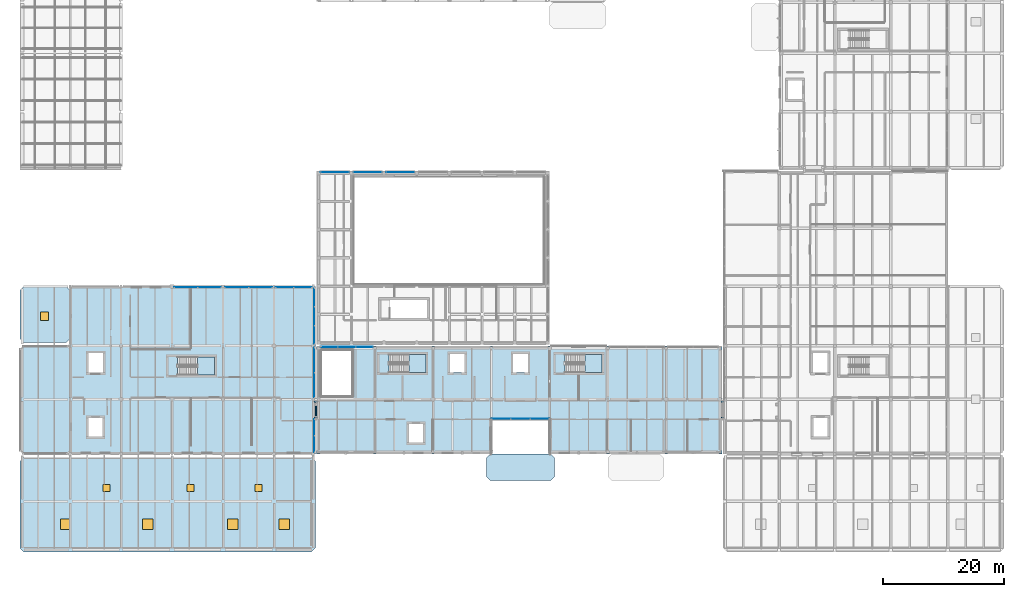
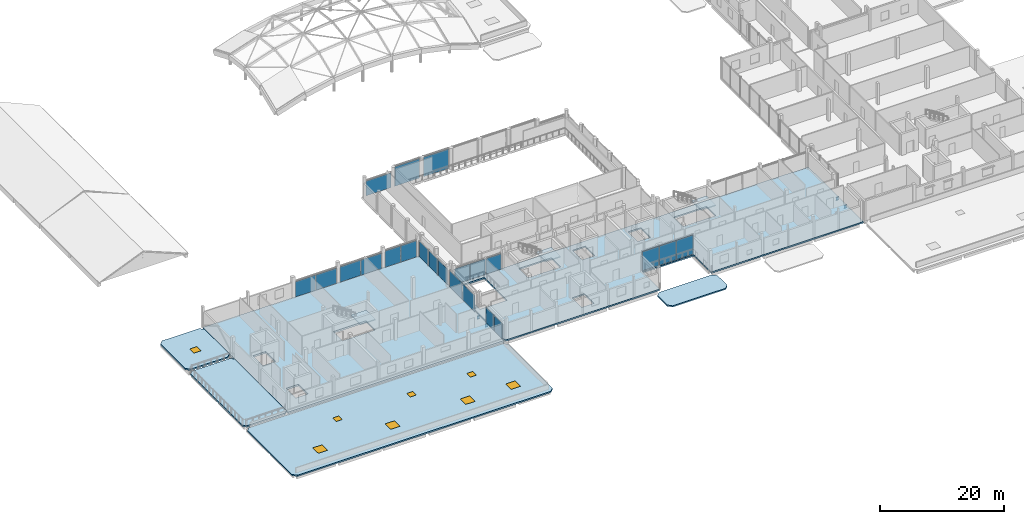
# One storey, part 32 of 66: 22 plates, 10 slabs, 8 windows, 4 beams, 8 openings, 14 elements without a shape of their own.
"""IFC4 building model written with IfcOpenShell, lengths in metres."""

from ifc_helpers import new_model, si_unit, direction, frame, origin, origin_2d, place, context, subcontext, project, spatial, polyline, rectangle, i_section, outline, extrude, material, layer, layer_set, material_profile, profile_set, type_object, element, fill, aggregate, save


model = new_model("IFC4")

# Units and contexts
model_context = context("Model", 3, precision=1e-05, world=origin(), true_north=direction((0.0, 1.0)))
body_context = subcontext(model_context, "Body", "Model", "MODEL_VIEW")
ifc_project = project(units=[si_unit("LENGTHUNIT", "METRE"), si_unit("AREAUNIT", "SQUARE_METRE"), si_unit("VOLUMEUNIT", "CUBIC_METRE"), si_unit("PLANEANGLEUNIT", "RADIAN"), si_unit("MASSUNIT", "GRAM", prefix="KILO")], contexts=[model_context])

# Site, building, storey
site_placement = place(None, origin())
site = spatial("IfcSite", under=ifc_project, at=site_placement, CompositionType="ELEMENT")
building_placement = place(site_placement, origin())
building = spatial("IfcBuilding", under=site, at=building_placement, Name="Birchvale Park Specialist Clinic", CompositionType="ELEMENT")
storey_placement = place(building_placement, frame((0.0, 0.0, 5.39990234375)))
storey = spatial("IfcBuildingStorey", under=building, at=storey_placement, Name="L01", CompositionType="ELEMENT", Elevation=5.39990234375)

# Beams
ifc_material_1 = material(Name="Steel ASTM A992 Grade 50", Category="steel")
ifc_material_profile = material_profile(ifc_material_1, i_section(OverallWidth=0.22900390625, OverallDepth=0.612060546875, WebThickness=0.011962890625, FlangeThickness=0.01953125, at=origin_2d()), Name="W24X84")
ifc_profile_set = profile_set([ifc_material_profile], Name="Steel ASTM A992 Grade 50")
beam_type = type_object("IfcBeamType", Name="STL-EXT-SB2", PredefinedType="BEAM", material=ifc_profile_set)
for number, where, z_axis, x_axis, name in (
    (1, (51.409912109375, 22.800048828125, -0.6708984375), (1.0, 0.0, 0.0), (0.0, 1.0, 0.0), "L01 link bridge girder BRG-1.1"),
    (2, (51.409912109375, 25.39990234375, -0.6708984375), (1.0, 0.0, 0.0), (0.0, 1.0, 0.0), "L01 link bridge girder BRG-1.2"),
    (3, (118.409912109375, 22.800048828125, -0.6708984375), (1.0, 0.0, 0.0), (0.0, 1.0, 0.0), "L01 link bridge girder BRG-2.1"),
    (4, (118.409912109375, 25.39990234375, -0.6708984375), (1.0, 0.0, 0.0), (0.0, 1.0, 0.0), "L01 link bridge girder BRG-2.2"),
):
    element("IfcBeam", number, at=place(storey_placement, frame(where, z_axis=z_axis, x_axis=x_axis)), inside=storey, type_object=beam_type, Name=name, PredefinedType="BEAM", context=body_context, shape_type="SweptSolid", body=[
        extrude(i_section(OverallWidth=0.22900390625, OverallDepth=0.612060546875, WebThickness=0.011962890625, FlangeThickness=0.01953125, at=origin_2d()), origin(), (0.0, 0.0, 1.0), 0.52001953125),
    ])

# Curtain wall, plates
ifc_material_2 = material(Name="Thermally broken anodised aluminium", Category="aluminium")
ifc_layer_1 = layer(ifc_material_2, 0.179931640625)
ifc_layer_set_1 = layer_set([ifc_layer_1], Name="Thermally broken anodised aluminium")
curtain_wall_type_1 = type_object("IfcCurtainWallType", Name="CW-U1", PredefinedType="USERDEFINED", material=ifc_layer_set_1)
curtain_wall_1_placement = place(storey_placement, origin())
curtain_wall_1 = element("IfcCurtainWall", 5, at=curtain_wall_1_placement, inside=storey, type_object=curtain_wall_type_1, Name="V4 L01 glazed curtain wall 87", ObjectType="UNITISED", PredefinedType="USERDEFINED")
ifc_material_3 = material(Name="Solar-control low-E double glazing", Category="glass")
ifc_layer_2 = layer(ifc_material_3, 0.028076171875)
ifc_layer_set_2 = layer_set([ifc_layer_2], Name="Solar-control low-E double glazing")
plate_type_1 = type_object("IfcPlateType", Name="CWP1", PredefinedType="CURTAIN_PANEL", material=ifc_layer_set_2)
plate_1_placement = place(storey_placement, frame((82.215087890625, 22.590087890625, 0.06005859375), z_axis=(0.0, 0.0, 1.0), x_axis=(1.0, 0.0, 0.0)))
plate_1 = element("IfcPlate", 6, at=plate_1_placement, type_object=plate_type_1, Name="CW panel 1.1", PredefinedType="CURTAIN_PANEL", context=body_context, shape_type="SweptSolid", body=[
    extrude(rectangle(XDim=3.110107421875, YDim=0.028076171875, at=origin_2d()), origin(), (0.0, 0.0, 1.0), 3.800048828125),
])
plate_2_placement = place(storey_placement, frame((85.39990234375, 22.590087890625, 0.06005859375), z_axis=(0.0, 0.0, 1.0), x_axis=(1.0, 0.0, 0.0)))
plate_2 = element("IfcPlate", 7, at=plate_2_placement, type_object=plate_type_1, Name="CW panel 2.1", PredefinedType="CURTAIN_PANEL", context=body_context, shape_type="SweptSolid", body=[
    extrude(rectangle(XDim=3.139892578125, YDim=0.028076171875, at=origin_2d()), origin(), (0.0, 0.0, 1.0), 3.800048828125),
])
plate_3_placement = place(storey_placement, frame((88.5849609375, 22.590087890625, 0.06005859375), z_axis=(0.0, 0.0, 1.0), x_axis=(1.0, 0.0, 0.0)))
plate_3 = element("IfcPlate", 8, at=plate_3_placement, type_object=plate_type_1, Name="CW panel 3.1", PredefinedType="CURTAIN_PANEL", context=body_context, shape_type="SweptSolid", body=[
    extrude(rectangle(XDim=3.110107421875, YDim=0.028076171875, at=origin_2d()), origin(), (0.0, 0.0, 1.0), 3.800048828125),
])
aggregate(curtain_wall_1, [plate_1, plate_2, plate_3])

curtain_wall_2_placement = place(storey_placement, origin())
curtain_wall_2 = element("IfcCurtainWall", 9, at=curtain_wall_2_placement, inside=storey, type_object=curtain_wall_type_1, Name="V4 L01 glazed curtain wall 90", ObjectType="UNITISED", PredefinedType="USERDEFINED")
plate_4_placement = place(storey_placement, frame((59.6875, 34.409912109375, 0.06005859375), z_axis=(0.0, 0.0, 1.0), x_axis=(-1.0, 0.0, 0.0)))
plate_4 = element("IfcPlate", 10, at=plate_4_placement, type_object=plate_type_1, Name="CW panel 1.1", PredefinedType="CURTAIN_PANEL", context=body_context, shape_type="SweptSolid", body=[
    extrude(rectangle(XDim=2.824951171875, YDim=0.028076171875, at=origin_2d()), origin(), (0.0, 0.0, 1.0), 3.094970703125),
])
plate_5_placement = place(storey_placement, frame((56.78759765625, 34.409912109375, 0.06005859375), z_axis=(0.0, 0.0, 1.0), x_axis=(-1.0, 0.0, 0.0)))
plate_5 = element("IfcPlate", 11, at=plate_5_placement, type_object=plate_type_1, Name="CW panel 2.1", PredefinedType="CURTAIN_PANEL", context=body_context, shape_type="SweptSolid", body=[
    extrude(rectangle(XDim=2.85498046875, YDim=0.028076171875, at=origin_2d()), origin(), (0.0, 0.0, 1.0), 3.094970703125),
])
plate_6_placement = place(storey_placement, frame((53.887451171875, 34.409912109375, 0.06005859375), z_axis=(0.0, 0.0, 1.0), x_axis=(-1.0, 0.0, 0.0)))
plate_6 = element("IfcPlate", 12, at=plate_6_placement, type_object=plate_type_1, Name="CW panel 3.1", PredefinedType="CURTAIN_PANEL", context=body_context, shape_type="SweptSolid", body=[
    extrude(rectangle(XDim=2.824951171875, YDim=0.028076171875, at=origin_2d()), origin(), (0.0, 0.0, 1.0), 3.094970703125),
])
aggregate(curtain_wall_2, [plate_4, plate_5, plate_6])

# Curtain wall, plate
ifc_layer_3 = layer(ifc_material_2, 0.195068359375)
ifc_layer_set_3 = layer_set([ifc_layer_3], Name="Thermally broken anodised aluminium")
curtain_wall_type_2 = type_object("IfcCurtainWallType", Name="CW-U2", PredefinedType="USERDEFINED", material=ifc_layer_set_3)
curtain_wall_3_placement = place(storey_placement, origin())
curtain_wall_3 = element("IfcCurtainWall", 13, at=curtain_wall_3_placement, inside=storey, type_object=curtain_wall_type_2, Name="V1 L01 glazed curtain wall 78", ObjectType="UNITISED", PredefinedType="USERDEFINED")
ifc_layer_4 = layer(ifc_material_3, 0.031982421875)
ifc_layer_set_4 = layer_set([ifc_layer_4], Name="Solar-control low-E double glazing")
plate_type_2 = type_object("IfcPlateType", Name="CWP2", PredefinedType="CURTAIN_PANEL", material=ifc_layer_set_4)
plate_7_placement = place(storey_placement, frame((65.6142578125, 63.235107421875, 0.06494140625), z_axis=(0.0, 0.0, 1.0), x_axis=(-1.0, 0.0, 0.0)))
plate_7 = element("IfcPlate", 14, at=plate_7_placement, type_object=plate_type_2, Name="CW panel 1.1", PredefinedType="CURTAIN_PANEL", context=body_context, shape_type="SweptSolid", body=[
    extrude(rectangle(XDim=4.6357421875, YDim=0.031982421875, at=origin_2d()), origin(), (0.0, 0.0, 1.0), 3.889892578125),
])
aggregate(curtain_wall_3, [plate_7])

curtain_wall_4_placement = place(storey_placement, origin())
curtain_wall_4 = element("IfcCurtainWall", 15, at=curtain_wall_4_placement, inside=storey, type_object=curtain_wall_type_2, Name="V1 L01 glazed curtain wall 79", ObjectType="UNITISED", PredefinedType="USERDEFINED")
plate_8_placement = place(storey_placement, frame((60.228515625, 63.235107421875, 0.06494140625), z_axis=(0.0, 0.0, 1.0), x_axis=(-1.0, 0.0, 0.0)))
plate_8 = element("IfcPlate", 16, at=plate_8_placement, type_object=plate_type_2, Name="CW panel 1.1", PredefinedType="CURTAIN_PANEL", context=body_context, shape_type="SweptSolid", body=[
    extrude(rectangle(XDim=4.6357421875, YDim=0.031982421875, at=origin_2d()), origin(), (0.0, 0.0, 1.0), 3.889892578125),
])
aggregate(curtain_wall_4, [plate_8])

curtain_wall_5_placement = place(storey_placement, origin())
curtain_wall_5 = element("IfcCurtainWall", 17, at=curtain_wall_5_placement, inside=storey, type_object=curtain_wall_type_2, Name="V1 L01 glazed curtain wall 80", ObjectType="UNITISED", PredefinedType="USERDEFINED")
plate_9_placement = place(storey_placement, frame((54.8427734375, 63.235107421875, 0.065185546875), z_axis=(0.0, 0.0, 1.0), x_axis=(-1.0, 0.0, 0.0)))
plate_9 = element("IfcPlate", 18, at=plate_9_placement, type_object=plate_type_2, Name="CW panel 1.1", PredefinedType="CURTAIN_PANEL", context=body_context, shape_type="SweptSolid", body=[
    extrude(rectangle(XDim=4.6357421875, YDim=0.031982421875, at=origin_2d()), origin(), (0.0, 0.0, 1.0), 2.93505859375),
])
aggregate(curtain_wall_5, [plate_9])

# Curtain wall, plates
curtain_wall_6_placement = place(storey_placement, origin())
curtain_wall_6 = element("IfcCurtainWall", 19, at=curtain_wall_6_placement, inside=storey, type_object=curtain_wall_type_2, Name="V2 L01 glazed curtain wall 81", ObjectType="UNITISED", PredefinedType="USERDEFINED")
plate_10_placement = place(storey_placement, frame((51.445068359375, 18.433837890625, 0.065185546875), z_axis=(0.0, 0.0, 1.0), x_axis=(0.0, 1.0, 0.0)))
plate_10 = element("IfcPlate", 20, at=plate_10_placement, type_object=plate_type_2, Name="CW panel 1.1", PredefinedType="CURTAIN_PANEL", context=body_context, shape_type="SweptSolid", body=[
    extrude(rectangle(XDim=2.657470703125, YDim=0.031982421875, at=origin_2d()), origin(), (0.0, 0.0, 1.0), 3.06494140625),
])
plate_11_placement = place(storey_placement, frame((51.445068359375, 21.15625, 0.065185546875), z_axis=(0.0, 0.0, 1.0), x_axis=(0.0, 1.0, 0.0)))
plate_11 = element("IfcPlate", 21, at=plate_11_placement, type_object=plate_type_2, Name="CW panel 2.1", PredefinedType="CURTAIN_PANEL", context=body_context, shape_type="SweptSolid", body=[
    extrude(rectangle(XDim=2.657470703125, YDim=0.031982421875, at=origin_2d()), origin(), (0.0, 0.0, 1.0), 3.06494140625),
])
aggregate(curtain_wall_6, [plate_10, plate_11])

curtain_wall_7_placement = place(storey_placement, origin())
curtain_wall_7 = element("IfcCurtainWall", 22, at=curtain_wall_7_placement, inside=storey, type_object=curtain_wall_type_2, Name="V2 L01 glazed curtain wall 82", ObjectType="UNITISED", PredefinedType="USERDEFINED")
plate_12_placement = place(storey_placement, frame((51.445068359375, 28.14501953125, 0.065185546875), z_axis=(0.0, 0.0, 1.0), x_axis=(0.0, 1.0, 0.0)))
plate_12 = element("IfcPlate", 23, at=plate_12_placement, type_object=plate_type_2, Name="CW panel 1.1", PredefinedType="CURTAIN_PANEL", context=body_context, shape_type="SweptSolid", body=[
    extrude(rectangle(XDim=4.0400390625, YDim=0.031982421875, at=origin_2d()), origin(), (0.0, 0.0, 1.0), 3.1650390625),
])
plate_13_placement = place(storey_placement, frame((51.445068359375, 32.25, 0.065185546875), z_axis=(0.0, 0.0, 1.0), x_axis=(0.0, 1.0, 0.0)))
plate_13 = element("IfcPlate", 24, at=plate_13_placement, type_object=plate_type_2, Name="CW panel 2.1", PredefinedType="CURTAIN_PANEL", context=body_context, shape_type="SweptSolid", body=[
    extrude(rectangle(XDim=4.0400390625, YDim=0.031982421875, at=origin_2d()), origin(), (0.0, 0.0, 1.0), 3.1650390625),
])
aggregate(curtain_wall_7, [plate_12, plate_13])

curtain_wall_8_placement = place(storey_placement, origin())
curtain_wall_8 = element("IfcCurtainWall", 25, at=curtain_wall_8_placement, inside=storey, type_object=curtain_wall_type_2, Name="V2 L01 glazed curtain wall 83", ObjectType="UNITISED", PredefinedType="USERDEFINED")
plate_14_placement = place(storey_placement, frame((51.445068359375, 36.422119140625, 0.065185546875), z_axis=(0.0, 0.0, 1.0), x_axis=(0.0, 1.0, 0.0)))
plate_14 = element("IfcPlate", 26, at=plate_14_placement, type_object=plate_type_2, Name="CW panel 1.1", PredefinedType="CURTAIN_PANEL", context=body_context, shape_type="SweptSolid", body=[
    extrude(rectangle(XDim=2.984130859375, YDim=0.031982421875, at=origin_2d()), origin(), (0.0, 0.0, 1.0), 3.06494140625),
])
plate_15_placement = place(storey_placement, frame((51.445068359375, 39.487548828125, 0.065185546875), z_axis=(0.0, 0.0, 1.0), x_axis=(0.0, 1.0, 0.0)))
plate_15 = element("IfcPlate", 27, at=plate_15_placement, type_object=plate_type_2, Name="CW panel 2.1", PredefinedType="CURTAIN_PANEL", context=body_context, shape_type="SweptSolid", body=[
    extrude(rectangle(XDim=3.0166015625, YDim=0.031982421875, at=origin_2d()), origin(), (0.0, 0.0, 1.0), 3.06494140625),
])
plate_16_placement = place(storey_placement, frame((51.445068359375, 42.552978515625, 0.065185546875), z_axis=(0.0, 0.0, 1.0), x_axis=(0.0, 1.0, 0.0)))
plate_16 = element("IfcPlate", 28, at=plate_16_placement, type_object=plate_type_2, Name="CW panel 3.1", PredefinedType="CURTAIN_PANEL", context=body_context, shape_type="SweptSolid", body=[
    extrude(rectangle(XDim=2.984130859375, YDim=0.031982421875, at=origin_2d()), origin(), (0.0, 0.0, 1.0), 3.06494140625),
])
aggregate(curtain_wall_8, [plate_14, plate_15, plate_16])

curtain_wall_9_placement = place(storey_placement, origin())
curtain_wall_9 = element("IfcCurtainWall", 29, at=curtain_wall_9_placement, inside=storey, type_object=curtain_wall_type_2, Name="V2 L01 glazed curtain wall 84", ObjectType="UNITISED", PredefinedType="USERDEFINED")
plate_17_placement = place(storey_placement, frame((49.5263671875, 44.2451171875, 0.065185546875), z_axis=(0.0, 0.0, 1.0), x_axis=(-1.0, 0.0, 0.0)))
plate_17 = element("IfcPlate", 30, at=plate_17_placement, type_object=plate_type_2, Name="CW panel 1.1", PredefinedType="CURTAIN_PANEL", context=body_context, shape_type="SweptSolid", body=[
    extrude(rectangle(XDim=2.8974609375, YDim=0.031982421875, at=origin_2d()), origin(), (0.0, 0.0, 1.0), 3.2548828125),
])
plate_18_placement = place(storey_placement, frame((46.563720703125, 44.2451171875, 0.065185546875), z_axis=(0.0, 0.0, 1.0), x_axis=(-1.0, 0.0, 0.0)))
plate_18 = element("IfcPlate", 31, at=plate_18_placement, type_object=plate_type_2, Name="CW panel 2.1", PredefinedType="CURTAIN_PANEL", context=body_context, shape_type="SweptSolid", body=[
    extrude(rectangle(XDim=2.8974609375, YDim=0.031982421875, at=origin_2d()), origin(), (0.0, 0.0, 1.0), 3.2548828125),
])
aggregate(curtain_wall_9, [plate_17, plate_18])

curtain_wall_10_placement = place(storey_placement, origin())
curtain_wall_10 = element("IfcCurtainWall", 32, at=curtain_wall_10_placement, inside=storey, type_object=curtain_wall_type_2, Name="V2 L01 glazed curtain wall 85", ObjectType="UNITISED", PredefinedType="USERDEFINED")
plate_19_placement = place(storey_placement, frame((42.56494140625, 44.2451171875, 0.06494140625), z_axis=(0.0, 0.0, 1.0), x_axis=(-1.0, 0.0, 0.0)))
plate_19 = element("IfcPlate", 33, at=plate_19_placement, type_object=plate_type_2, Name="CW panel 1.1", PredefinedType="CURTAIN_PANEL", context=body_context, shape_type="SweptSolid", body=[
    extrude(rectangle(XDim=3.840087890625, YDim=0.031982421875, at=origin_2d()), origin(), (0.0, 0.0, 1.0), 3.054931640625),
])
plate_20_placement = place(storey_placement, frame((38.659912109375, 44.2451171875, 0.06494140625), z_axis=(0.0, 0.0, 1.0), x_axis=(-1.0, 0.0, 0.0)))
plate_20 = element("IfcPlate", 34, at=plate_20_placement, type_object=plate_type_2, Name="CW panel 2.1", PredefinedType="CURTAIN_PANEL", context=body_context, shape_type="SweptSolid", body=[
    extrude(rectangle(XDim=3.840087890625, YDim=0.031982421875, at=origin_2d()), origin(), (0.0, 0.0, 1.0), 3.054931640625),
])
aggregate(curtain_wall_10, [plate_19, plate_20])

curtain_wall_11_placement = place(storey_placement, origin())
curtain_wall_11 = element("IfcCurtainWall", 35, at=curtain_wall_11_placement, inside=storey, type_object=curtain_wall_type_2, Name="V2 L01 glazed curtain wall 86", ObjectType="UNITISED", PredefinedType="USERDEFINED")
plate_21_placement = place(storey_placement, frame((34.152587890625, 44.2451171875, 0.06494140625), z_axis=(0.0, 0.0, 1.0), x_axis=(-1.0, 0.0, 0.0)))
plate_21 = element("IfcPlate", 36, at=plate_21_placement, type_object=plate_type_2, Name="CW panel 1.1", PredefinedType="CURTAIN_PANEL", context=body_context, shape_type="SweptSolid", body=[
    extrude(rectangle(XDim=3.81494140625, YDim=0.031982421875, at=origin_2d()), origin(), (0.0, 0.0, 1.0), 3.054931640625),
])
plate_22_placement = place(storey_placement, frame((30.2724609375, 44.2451171875, 0.06494140625), z_axis=(0.0, 0.0, 1.0), x_axis=(-1.0, 0.0, 0.0)))
plate_22 = element("IfcPlate", 37, at=plate_22_placement, type_object=plate_type_2, Name="CW panel 2.1", PredefinedType="CURTAIN_PANEL", context=body_context, shape_type="SweptSolid", body=[
    extrude(rectangle(XDim=3.81494140625, YDim=0.031982421875, at=origin_2d()), origin(), (0.0, 0.0, 1.0), 3.054931640625),
])
aggregate(curtain_wall_11, [plate_21, plate_22])

# Slabs
ifc_material_4 = material(Name="Concrete C35/45", Category="concrete")
ifc_layer_5 = layer(ifc_material_4, 0.31005859375)
ifc_layer_set_5 = layer_set([ifc_layer_5], Name="Concrete C35/45")
slab_type_1 = type_object("IfcSlabType", Name="SLB-ES1", PredefinedType="FLOOR", material=ifc_layer_set_5)
slab_1_placement = place(storey_placement, frame((0.0, 0.0, -0.309814453125)))
element("IfcSlab", 38, at=slab_1_placement, inside=storey, type_object=slab_type_1, Name="V2 L01 outdoor terrace slab 1", PredefinedType="FLOOR", context=body_context, shape_type="SweptSolid", body=[
    extrude(outline(polyline([(3.5, 16.800048828125), (10.64990234375, 16.800048828125), (11.199951171875, 17.35009765625), (11.199951171875, 34.050048828125), (10.64990234375, 34.60009765625), (3.5, 34.60009765625), (2.949951171875, 34.050048828125), (2.949951171875, 17.35009765625), (3.5, 16.800048828125)])), origin(), (0.0, 0.0, 1.0), 0.309814453125),
])
ifc_layer_6 = layer(ifc_material_4, 0.35009765625)
ifc_layer_set_6 = layer_set([ifc_layer_6], Name="Concrete C35/45")
slab_type_2 = type_object("IfcSlabType", Name="SLB-FS1", PredefinedType="FLOOR", material=ifc_layer_set_6)
slab_2_placement = place(storey_placement, frame((0.0, 0.0, -0.349853515625)))
element("IfcSlab", 39, at=slab_2_placement, inside=storey, type_object=slab_type_2, Name="V2 L01 structural slab 1", PredefinedType="FLOOR", context=body_context, shape_type="SweptSolid", body=[
    extrude(outline(polyline([(11.199951171875, 16.800048828125), (51.60009765625, 16.800048828125), (51.60009765625, 44.39990234375), (11.199951171875, 44.39990234375), (11.199951171875, 16.800048828125)]), holes=[polyline([(28.905029296875, 29.800048828125), (35.0, 29.800048828125), (35.0, 32.800048828125), (28.905029296875, 32.800048828125), (28.905029296875, 29.800048828125)]), polyline([(14.25, 19.64990234375), (16.550048828125, 19.64990234375), (16.550048828125, 22.75), (14.25, 22.75), (14.25, 19.64990234375)]), polyline([(14.199951171875, 30.199951171875), (16.60009765625, 30.199951171875), (16.60009765625, 33.39990234375), (14.199951171875, 33.39990234375), (14.199951171875, 30.199951171875)])]), origin(), (0.0, 0.0, 1.0), 0.349853515625),
])
ifc_layer_7 = layer(ifc_material_4, 0.280029296875)
ifc_layer_set_7 = layer_set([ifc_layer_7], Name="Concrete C35/45")
slab_type_3 = type_object("IfcSlabType", Name="SLB-FS4", PredefinedType="FLOOR", material=ifc_layer_set_7)
slab_3_placement = place(storey_placement, frame((0.0, 0.0, -0.27978515625)))
element("IfcSlab", 40, at=slab_3_placement, inside=storey, type_object=slab_type_3, Name="V4 L01 structural slab 1", PredefinedType="FLOOR", context=body_context, shape_type="SweptSolid", body=[
    extrude(outline(polyline([(51.800048828125, 16.800048828125), (80.60009765625, 16.800048828125), (80.60009765625, 22.39990234375), (90.199951171875, 22.39990234375), (90.199951171875, 16.800048828125), (118.60009765625, 16.800048828125), (118.60009765625, 34.60009765625), (51.800048828125, 34.60009765625), (51.800048828125, 16.800048828125)]), holes=[polyline([(52.60009765625, 26.39990234375), (57.60009765625, 26.39990234375), (57.60009765625, 33.800048828125), (52.60009765625, 33.800048828125), (52.60009765625, 26.39990234375)]), polyline([(63.705078125, 30.199951171875), (69.800048828125, 30.199951171875), (69.800048828125, 33.199951171875), (63.705078125, 33.199951171875), (63.705078125, 30.199951171875)]), polyline([(92.705078125, 30.199951171875), (98.800048828125, 30.199951171875), (98.800048828125, 33.199951171875), (92.705078125, 33.199951171875), (92.705078125, 30.199951171875)]), polyline([(73.800048828125, 30.199951171875), (76.199951171875, 30.199951171875), (76.199951171875, 33.300048828125), (73.800048828125, 33.300048828125), (73.800048828125, 30.199951171875)]), polyline([(84.199951171875, 30.199951171875), (86.60009765625, 30.199951171875), (86.60009765625, 33.300048828125), (84.199951171875, 33.300048828125), (84.199951171875, 30.199951171875)]), polyline([(67.050048828125, 18.64990234375), (69.35009765625, 18.64990234375), (69.35009765625, 21.75), (67.050048828125, 21.75), (67.050048828125, 18.64990234375)])]), origin(), (0.0, 0.0, 1.0), 0.27978515625),
])
ifc_layer_8 = layer(ifc_material_4, 0.364990234375)
ifc_layer_set_8 = layer_set([ifc_layer_8], Name="Concrete C35/45")
slab_type_4 = type_object("IfcSlabType", Name="SLB-FS6", PredefinedType="FLOOR", material=ifc_layer_set_8)
slab_4_placement = place(storey_placement, frame((0.0, 0.0, -0.364990234375)))
element("IfcSlab", 41, at=slab_4_placement, inside=storey, type_object=slab_type_4, Name="L01 seismic link bridge deck BRG-1", PredefinedType="FLOOR", context=body_context, shape_type="SweptSolid", body=[
    extrude(outline(polyline([(51.60009765625, 22.60009765625), (51.800048828125, 22.60009765625), (51.800048828125, 25.60009765625), (51.60009765625, 25.60009765625), (51.60009765625, 22.60009765625)])), origin(), (0.0, 0.0, 1.0), 0.364990234375),
])

# Stair, slab
stair_type = type_object("IfcStairType", Name="ST-H42", PredefinedType="HALF_TURN_STAIR", material=ifc_material_4)
stair_1_placement = place(storey_placement, origin())
stair_1 = element("IfcStair", 42, at=stair_1_placement, inside=storey, type_object=stair_type, Name="L01 Protected exit stair ST2", PredefinedType="HALF_TURN_STAIR")
ifc_layer_9 = layer(ifc_material_4, 0.199951171875)
ifc_layer_set_9 = layer_set([ifc_layer_9], Name="Concrete C35/45")
slab_type_5 = type_object("IfcSlabType", Name="SLB-LND1", PredefinedType="LANDING", material=ifc_layer_set_9)
slab_5_placement = place(storey_placement, frame((0.0, 0.0, 1.900146484375)))
slab_5 = element("IfcSlab", 43, at=slab_5_placement, type_object=slab_type_5, Name="ST2 landing 1", PredefinedType="LANDING", context=body_context, shape_type="SweptSolid", body=[
    extrude(outline(polyline([(32.199951171875, 29.800048828125), (35.0, 29.800048828125), (35.0, 32.800048828125), (32.199951171875, 32.800048828125), (32.199951171875, 29.800048828125)])), origin(), (0.0, 0.0, 1.0), 0.199951171875),
])
aggregate(stair_1, [slab_5])

stair_2_placement = place(storey_placement, origin())
stair_2 = element("IfcStair", 44, at=stair_2_placement, inside=storey, type_object=stair_type, Name="L01 Protected exit stair ST4", PredefinedType="HALF_TURN_STAIR")
slab_6_placement = place(storey_placement, frame((0.0, 0.0, 1.900146484375)))
slab_6 = element("IfcSlab", 45, at=slab_6_placement, type_object=slab_type_5, Name="ST4 landing 1", PredefinedType="LANDING", context=body_context, shape_type="SweptSolid", body=[
    extrude(outline(polyline([(67.0, 30.199951171875), (69.800048828125, 30.199951171875), (69.800048828125, 33.199951171875), (67.0, 33.199951171875), (67.0, 30.199951171875)])), origin(), (0.0, 0.0, 1.0), 0.199951171875),
])
aggregate(stair_2, [slab_6])

stair_3_placement = place(storey_placement, origin())
stair_3 = element("IfcStair", 46, at=stair_3_placement, inside=storey, type_object=stair_type, Name="L01 Protected exit stair ST5", PredefinedType="HALF_TURN_STAIR")
slab_7_placement = place(storey_placement, frame((0.0, 0.0, 1.900146484375)))
slab_7 = element("IfcSlab", 47, at=slab_7_placement, type_object=slab_type_5, Name="ST5 landing 1", PredefinedType="LANDING", context=body_context, shape_type="SweptSolid", body=[
    extrude(outline(polyline([(96.0, 30.199951171875), (98.800048828125, 30.199951171875), (98.800048828125, 33.199951171875), (96.0, 33.199951171875), (96.0, 30.199951171875)])), origin(), (0.0, 0.0, 1.0), 0.199951171875),
])
aggregate(stair_3, [slab_7])

# Slab, openings, windows
ifc_layer_10 = layer(ifc_material_4, 0.27490234375)
ifc_layer_set_10 = layer_set([ifc_layer_10], Name="Concrete C35/45")
slab_type_6 = type_object("IfcSlabType", Name="SLB-RS4", PredefinedType="ROOF", material=ifc_layer_set_10)
slab_8_placement = place(storey_placement, frame((0.0, 0.0, -0.27490234375)))
slab_8 = element("IfcSlab", 48, at=slab_8_placement, inside=storey, type_object=slab_type_6, Name="V2 L01 flat roof slab SLB-V2-L01-SRF", PredefinedType="ROOF", context=body_context, shape_type="SweptSolid", body=[
    extrude(outline(polyline([(3.60009765625, 0.64990234375), (50.949951171875, 0.64990234375), (51.60009765625, 1.300048828125), (51.60009765625, 15.60009765625), (50.949951171875, 16.25), (3.60009765625, 16.25), (2.949951171875, 15.60009765625), (2.949951171875, 1.300048828125), (3.60009765625, 0.64990234375)])), origin(), (0.0, 0.0, 1.0), 0.27490234375),
])
opening_1_placement = place(slab_8_placement, frame((10.5, 5.199951171875, 0.0)))
opening_1 = element("IfcOpeningElement", 49, at=opening_1_placement, cuts=slab_8, Name="Opening SK-04", PredefinedType="OPENING", context=body_context, shape_type="SweptSolid", body=[
    extrude(rectangle(XDim=1.75, YDim=1.75, at=origin_2d()), frame((0.0, 0.0, -0.010009765625)), (0.0, 0.0, 1.0), 0.294921875),
])
opening_2_placement = place(slab_8_placement, frame((24.0, 5.199951171875, 0.0)))
opening_2 = element("IfcOpeningElement", 50, at=opening_2_placement, cuts=slab_8, Name="Opening SK-04", PredefinedType="OPENING", context=body_context, shape_type="SweptSolid", body=[
    extrude(rectangle(XDim=1.75, YDim=1.75, at=origin_2d()), frame((0.0, 0.0, -0.010009765625)), (0.0, 0.0, 1.0), 0.294921875),
])
opening_3_placement = place(slab_8_placement, frame((38.0, 5.199951171875, 0.0)))
opening_3 = element("IfcOpeningElement", 51, at=opening_3_placement, cuts=slab_8, Name="Opening SK-04", PredefinedType="OPENING", context=body_context, shape_type="SweptSolid", body=[
    extrude(rectangle(XDim=1.75, YDim=1.75, at=origin_2d()), frame((0.0, 0.0, -0.010009765625)), (0.0, 0.0, 1.0), 0.294921875),
])
opening_4_placement = place(slab_8_placement, frame((46.5, 5.199951171875, 0.0)))
opening_4 = element("IfcOpeningElement", 52, at=opening_4_placement, cuts=slab_8, Name="Opening SK-04", PredefinedType="OPENING", context=body_context, shape_type="SweptSolid", body=[
    extrude(rectangle(XDim=1.75, YDim=1.75, at=origin_2d()), frame((0.0, 0.0, -0.010009765625)), (0.0, 0.0, 1.0), 0.294921875),
])
opening_5_placement = place(slab_8_placement, frame((17.199951171875, 11.199951171875, 0.0)))
opening_5 = element("IfcOpeningElement", 53, at=opening_5_placement, cuts=slab_8, Name="Opening SK-01", PredefinedType="OPENING", context=body_context, shape_type="SweptSolid", body=[
    extrude(rectangle(XDim=1.14990234375, YDim=1.14990234375, at=origin_2d()), frame((0.0, 0.0, -0.010009765625)), (0.0, 0.0, 1.0), 0.294921875),
])
opening_6_placement = place(slab_8_placement, frame((31.0, 11.199951171875, 0.0)))
opening_6 = element("IfcOpeningElement", 54, at=opening_6_placement, cuts=slab_8, Name="Opening SK-01", PredefinedType="OPENING", context=body_context, shape_type="SweptSolid", body=[
    extrude(rectangle(XDim=1.14990234375, YDim=1.14990234375, at=origin_2d()), frame((0.0, 0.0, -0.010009765625)), (0.0, 0.0, 1.0), 0.294921875),
])
opening_7_placement = place(slab_8_placement, frame((42.199951171875, 11.199951171875, 0.0)))
opening_7 = element("IfcOpeningElement", 55, at=opening_7_placement, cuts=slab_8, Name="Opening SK-01", PredefinedType="OPENING", context=body_context, shape_type="SweptSolid", body=[
    extrude(rectangle(XDim=1.14990234375, YDim=1.14990234375, at=origin_2d()), frame((0.0, 0.0, -0.010009765625)), (0.0, 0.0, 1.0), 0.294921875),
])
window_type_1 = type_object("IfcWindowType", Name="WIN-SK-01", PartitioningType="SINGLE_PANEL", PredefinedType="SKYLIGHT", material=ifc_material_3)
window_1_placement = place(opening_5_placement, frame((0.0, 0.0, 0.224853515625)))
window_1 = element("IfcWindow", 56, at=window_1_placement, inside=storey, type_object=window_type_1, Name="L01 roof daylight skylight 29", OverallHeight=1.14990234375, OverallWidth=1.14990234375, PartitioningType="SINGLE_PANEL", PredefinedType="SKYLIGHT", context=body_context, shape_type="SweptSolid", body=[
    extrude(rectangle(XDim=1.14990234375, YDim=1.14990234375, at=origin_2d()), origin(), (0.0, 0.0, 1.0), 0.050048828125),
])
fill(opening_5, window_1)
window_2_placement = place(opening_6_placement, frame((0.0, 0.0, 0.224853515625)))
window_2 = element("IfcWindow", 57, at=window_2_placement, inside=storey, type_object=window_type_1, Name="L01 roof daylight skylight 30", OverallHeight=1.14990234375, OverallWidth=1.14990234375, PartitioningType="SINGLE_PANEL", PredefinedType="SKYLIGHT", context=body_context, shape_type="SweptSolid", body=[
    extrude(rectangle(XDim=1.14990234375, YDim=1.14990234375, at=origin_2d()), origin(), (0.0, 0.0, 1.0), 0.050048828125),
])
fill(opening_6, window_2)
window_3_placement = place(opening_7_placement, frame((0.0, 0.0, 0.224853515625)))
window_3 = element("IfcWindow", 58, at=window_3_placement, inside=storey, type_object=window_type_1, Name="L01 roof daylight skylight 31", OverallHeight=1.14990234375, OverallWidth=1.14990234375, PartitioningType="SINGLE_PANEL", PredefinedType="SKYLIGHT", context=body_context, shape_type="SweptSolid", body=[
    extrude(rectangle(XDim=1.14990234375, YDim=1.14990234375, at=origin_2d()), origin(), (0.0, 0.0, 1.0), 0.050048828125),
])
fill(opening_7, window_3)
window_type_2 = type_object("IfcWindowType", Name="WIN-SK-04", PartitioningType="SINGLE_PANEL", PredefinedType="SKYLIGHT", material=ifc_material_3)
window_4_placement = place(opening_1_placement, frame((0.0, 0.0, 0.224853515625)))
window_4 = element("IfcWindow", 59, at=window_4_placement, inside=storey, type_object=window_type_2, Name="L01 roof daylight skylight 6", OverallHeight=1.75, OverallWidth=1.75, PartitioningType="SINGLE_PANEL", PredefinedType="SKYLIGHT", context=body_context, shape_type="SweptSolid", body=[
    extrude(rectangle(XDim=1.75, YDim=1.75, at=origin_2d()), origin(), (0.0, 0.0, 1.0), 0.050048828125),
])
fill(opening_1, window_4)
window_5_placement = place(opening_2_placement, frame((0.0, 0.0, 0.224853515625)))
window_5 = element("IfcWindow", 60, at=window_5_placement, inside=storey, type_object=window_type_2, Name="L01 roof daylight skylight 7", OverallHeight=1.75, OverallWidth=1.75, PartitioningType="SINGLE_PANEL", PredefinedType="SKYLIGHT", context=body_context, shape_type="SweptSolid", body=[
    extrude(rectangle(XDim=1.75, YDim=1.75, at=origin_2d()), origin(), (0.0, 0.0, 1.0), 0.050048828125),
])
fill(opening_2, window_5)
window_6_placement = place(opening_3_placement, frame((0.0, 0.0, 0.224853515625)))
window_6 = element("IfcWindow", 61, at=window_6_placement, inside=storey, type_object=window_type_2, Name="L01 roof daylight skylight 8", OverallHeight=1.75, OverallWidth=1.75, PartitioningType="SINGLE_PANEL", PredefinedType="SKYLIGHT", context=body_context, shape_type="SweptSolid", body=[
    extrude(rectangle(XDim=1.75, YDim=1.75, at=origin_2d()), origin(), (0.0, 0.0, 1.0), 0.050048828125),
])
fill(opening_3, window_6)
window_7_placement = place(opening_4_placement, frame((0.0, 0.0, 0.224853515625)))
window_7 = element("IfcWindow", 62, at=window_7_placement, inside=storey, type_object=window_type_2, Name="L01 roof daylight skylight 9", OverallHeight=1.75, OverallWidth=1.75, PartitioningType="SINGLE_PANEL", PredefinedType="SKYLIGHT", context=body_context, shape_type="SweptSolid", body=[
    extrude(rectangle(XDim=1.75, YDim=1.75, at=origin_2d()), origin(), (0.0, 0.0, 1.0), 0.050048828125),
])
fill(opening_4, window_7)

# Slab, opening, window
slab_9_placement = place(storey_placement, frame((0.0, 0.0, -0.27490234375)))
slab_9 = element("IfcSlab", 63, at=slab_9_placement, inside=storey, type_object=slab_type_6, Name="V2 L01 flat roof slab SLB-V2-L01-WRF", PredefinedType="ROOF", context=body_context, shape_type="SweptSolid", body=[
    extrude(outline(polyline([(3.60009765625, 35.14990234375), (10.550048828125, 35.14990234375), (11.199951171875, 35.800048828125), (11.199951171875, 43.75), (10.550048828125, 44.39990234375), (3.60009765625, 44.39990234375), (2.949951171875, 43.75), (2.949951171875, 35.800048828125), (3.60009765625, 35.14990234375)])), origin(), (0.0, 0.0, 1.0), 0.27490234375),
])
opening_8_placement = place(slab_9_placement, frame((7.0, 39.5, 0.0)))
opening_8 = element("IfcOpeningElement", 64, at=opening_8_placement, cuts=slab_9, Name="Opening SK-02", PredefinedType="OPENING", context=body_context, shape_type="SweptSolid", body=[
    extrude(rectangle(XDim=1.35009765625, YDim=1.35009765625, at=origin_2d()), frame((0.0, 0.0, -0.010009765625)), (0.0, 0.0, 1.0), 0.294921875),
])
window_type_3 = type_object("IfcWindowType", Name="WIN-SK-02", PartitioningType="SINGLE_PANEL", PredefinedType="SKYLIGHT", material=ifc_material_3)
window_8_placement = place(opening_8_placement, frame((0.0, 0.0, 0.224853515625)))
window_8 = element("IfcWindow", 65, at=window_8_placement, inside=storey, type_object=window_type_3, Name="L01 roof daylight skylight 10", OverallHeight=1.35009765625, OverallWidth=1.35009765625, PartitioningType="SINGLE_PANEL", PredefinedType="SKYLIGHT", context=body_context, shape_type="SweptSolid", body=[
    extrude(rectangle(XDim=1.35009765625, YDim=1.35009765625, at=origin_2d()), origin(), (0.0, 0.0, 1.0), 0.050048828125),
])
fill(opening_8, window_8)

# Slab
ifc_layer_11 = layer(ifc_material_4, 0.25)
ifc_layer_set_11 = layer_set([ifc_layer_11], Name="Concrete C35/45")
slab_type_7 = type_object("IfcSlabType", Name="SLB-RS5", PredefinedType="ROOF", material=ifc_layer_set_11)
slab_10_placement = place(storey_placement, frame((0.0, 0.0, -0.849853515625)))
element("IfcSlab", 66, at=slab_10_placement, inside=storey, type_object=slab_type_7, Name="L01 entrance canopy roof slab 1", PredefinedType="ROOF", context=body_context, shape_type="SweptSolid", body=[
    extrude(outline(polyline([(80.449951171875, 12.39990234375), (90.35009765625, 12.39990234375), (91.0, 13.050048828125), (91.0, 16.14990234375), (90.35009765625, 16.800048828125), (80.449951171875, 16.800048828125), (79.800048828125, 16.14990234375), (79.800048828125, 13.050048828125), (80.449951171875, 12.39990234375)])), origin(), (0.0, 0.0, 1.0), 0.25),
])

save(model, "model.ifc")
